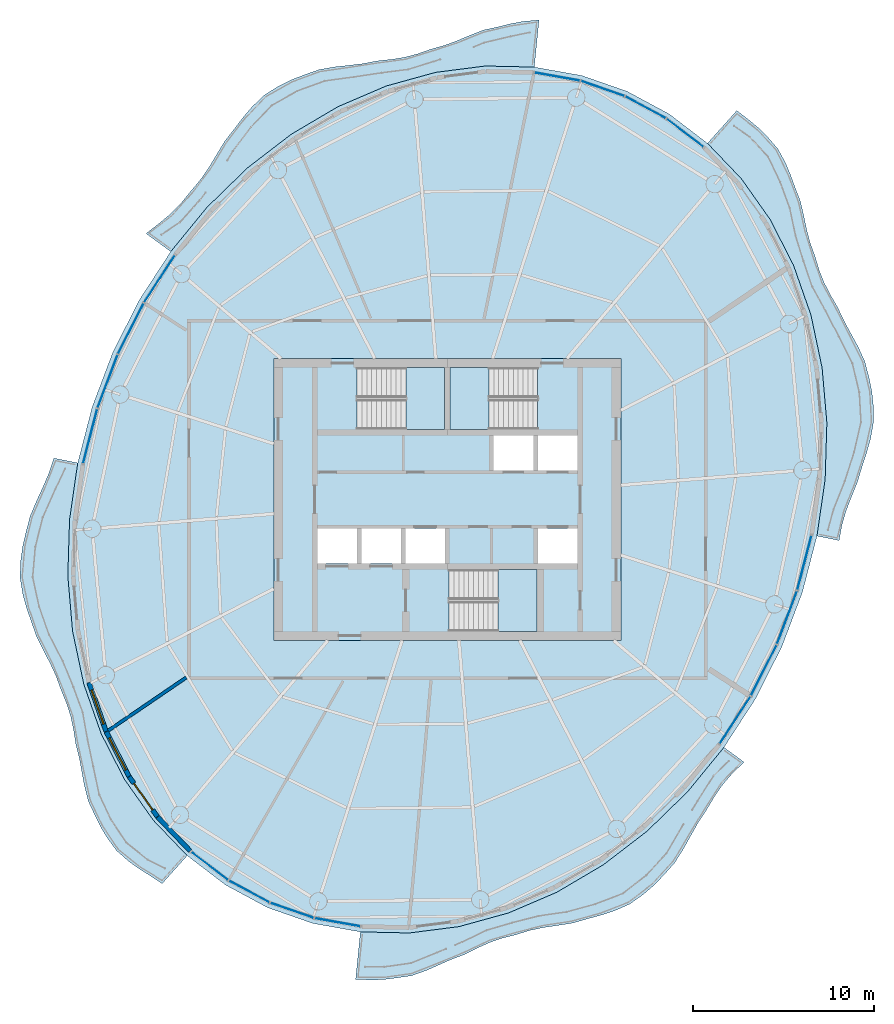
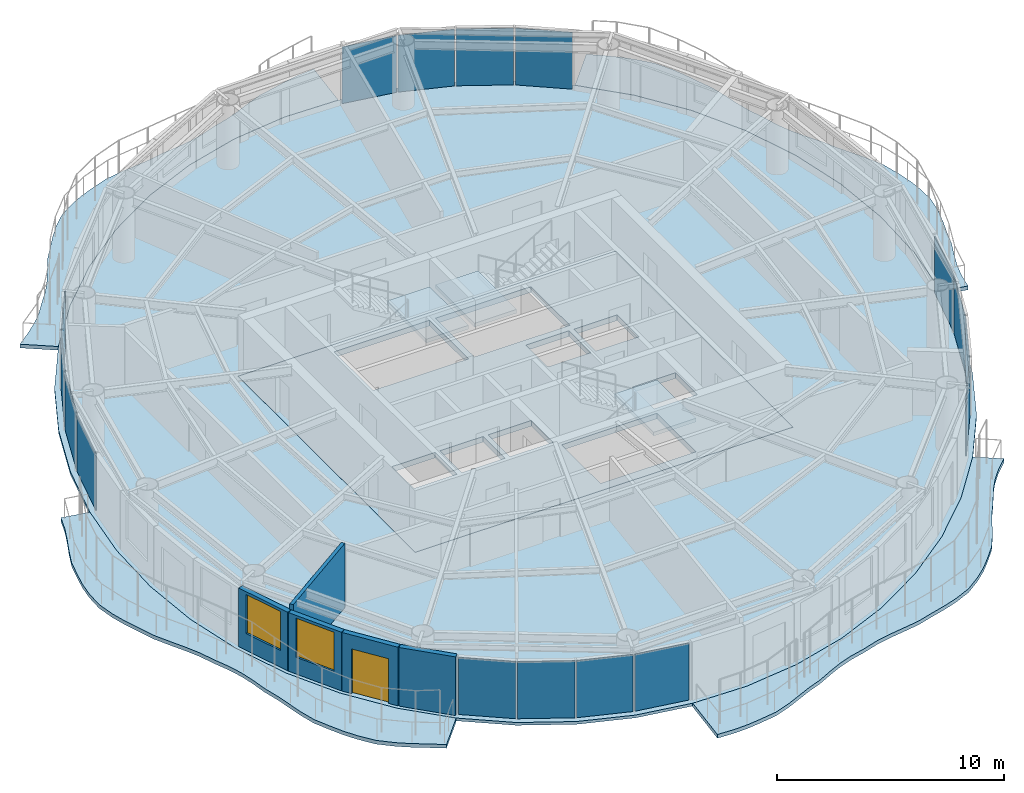
# One storey, part 6 of 13: 16 plates, 9 slabs, 5 walls, 2 windows, 1 door, 3 openings, 19 elements without a shape of their own.
"""IFC4 building model written with IfcOpenShell, lengths in metres."""

import ifcopenshell
import ifcopenshell.guid

model = None  # the IFC model being written
_history = None  # IfcOwnerHistory: only IFC2X3 demands one
_inside = {}  # id of a spatial element -> (the spatial element, [elements in it])
_under = {}  # id of a project, library or spatial element -> (it, [spatial elements below it])
_declared = {}  # id of a project -> (the project, [libraries it declares])
_typed = {}  # id of a type object -> (the type object, [elements of that type])
_made_of = {}  # id of a material, layer set ... -> (it, [elements and type objects made of it])


def new_model(schema):
    """Start an empty IFC model of exactly this schema.

    Asked for "IFC4X3", IfcOpenShell would pick the latest addendum, in which some entities
    have other attributes; the version numbers below select the first issue.
    IFC2X3 requires an IfcOwnerHistory on every rooted entity: one is made here for all.
    """
    global model, _history
    if schema == "IFC4X3":
        model = ifcopenshell.file(schema_version=(4, 3, 0, 0))
    else:
        model = ifcopenshell.file(schema=schema)
    _inside.clear()
    _under.clear()
    _declared.clear()
    _typed.clear()
    _made_of.clear()
    _history = None
    if model.schema == "IFC2X3":
        org = make("IfcOrganization", Name="unknown")
        user = make(
            "IfcPersonAndOrganization",
            ThePerson=make("IfcPerson", FamilyName="unknown"),
            TheOrganization=org,
        )
        app = make(
            "IfcApplication",
            ApplicationDeveloper=org,
            Version="unknown",
            ApplicationFullName="unknown",
            ApplicationIdentifier="unknown",
        )
        _history = make(
            "IfcOwnerHistory",
            OwningUser=user,
            OwningApplication=app,
            ChangeAction="ADDED",
            CreationDate=0,
        )
    return model


def make(cls, **values):
    """One entity of the class cls with the attributes given. An attribute that is None is left unset."""
    return model.create_entity(
        cls, **{name: value for name, value in values.items() if value is not None}
    )


def rooted(cls, **values):
    """An entity with a GlobalId (a new one), such as an element, a storey or a relation."""
    return make(cls, GlobalId=ifcopenshell.guid.new(), OwnerHistory=_history, **values)


def si_unit(unit_type, name, prefix=None):
    """IfcSIUnit, for example si_unit("LENGTHUNIT", "METRE", prefix="MILLI")."""
    return make("IfcSIUnit", UnitType=unit_type, Prefix=prefix, Name=name)


def assignment(units):
    """IfcUnitAssignment: the units of a project."""
    return None if units is None else make("IfcUnitAssignment", Units=units)


def point(xyz):
    """IfcCartesianPoint."""
    return None if xyz is None else make("IfcCartesianPoint", Coordinates=xyz)


def direction(xyz):
    """IfcDirection."""
    return None if xyz is None else make("IfcDirection", DirectionRatios=xyz)


def frame(location, z_axis=None, x_axis=None):
    """IfcAxis2Placement3D, a coordinate frame: its origin and axes. An axis left out is left unset."""
    return make(
        "IfcAxis2Placement3D",
        Location=point(location),
        Axis=direction(z_axis),
        RefDirection=direction(x_axis),
    )


def frame_2d(location, x_axis=None):
    """IfcAxis2Placement2D, a coordinate frame in the plane: its origin and x axis."""
    return make(
        "IfcAxis2Placement2D", Location=point(location), RefDirection=direction(x_axis)
    )


def origin():
    """The frame at (0, 0, 0) with its axes left unset."""
    return frame((0.0, 0.0, 0.0))


def origin_2d():
    """The frame at (0, 0) in the plane with its x axis left unset."""
    return frame_2d((0.0, 0.0))


def place(relative_to, where):
    """IfcLocalPlacement: puts the frame where relative to a parent placement (None: the world)."""
    return make(
        "IfcLocalPlacement", PlacementRelTo=relative_to, RelativePlacement=where
    )


def context(
    kind, dimensions, precision=None, world=None, true_north=None, identifier=None
):
    """IfcGeometricRepresentationContext, for example the 3D "Model" context."""
    return make(
        "IfcGeometricRepresentationContext",
        ContextIdentifier=identifier,
        ContextType=kind,
        CoordinateSpaceDimension=dimensions,
        Precision=precision,
        WorldCoordinateSystem=world,
        TrueNorth=true_north,
    )


def subcontext(parent, identifier, kind, view, scale=None):
    """IfcGeometricRepresentationSubContext, for example "Body" below "Model"."""
    return make(
        "IfcGeometricRepresentationSubContext",
        ContextIdentifier=identifier,
        ContextType=kind,
        ParentContext=parent,
        TargetScale=scale,
        TargetView=view,
    )


def project(units=None, contexts=None):
    """IfcProject with its units and contexts."""
    return rooted(
        "IfcProject",
        Name="project",
        RepresentationContexts=contexts,
        UnitsInContext=assignment(units),
    )


def spatial(cls, under=None, at=None, **own):
    """A site, building, storey or space (cls), placed at a placement, below another one or the project."""
    s = rooted(cls, ObjectPlacement=at, **own)
    if under is not None:
        _under.setdefault(under.id(), (under, []))[1].append(s)
    return s


def polyline(points):
    """IfcPolyline through the points."""
    return make("IfcPolyline", Points=[point(p) for p in points])


def profile(cls, at=None, kind="AREA", **sizes):
    """A parametric profile (cls). Its sizes go by their IFC names, for example OverallWidth=200.0."""
    return make(cls, ProfileType=kind, Position=at, **sizes)


def rectangle(**sizes):
    """IfcRectangleProfileDef."""
    return profile("IfcRectangleProfileDef", **sizes)


def outline(outer, holes=None, kind="AREA"):
    """IfcArbitraryClosedProfileDef: a profile drawn as a closed curve; with holes, ...WithVoids."""
    if holes is None:
        return make("IfcArbitraryClosedProfileDef", ProfileType=kind, OuterCurve=outer)
    return make(
        "IfcArbitraryProfileDefWithVoids",
        ProfileType=kind,
        OuterCurve=outer,
        InnerCurves=holes,
    )


def extrude(swept, where, along, depth):
    """IfcExtrudedAreaSolid: the profile swept, set in the frame where, extruded along a direction by depth."""
    return make(
        "IfcExtrudedAreaSolid",
        SweptArea=swept,
        Position=where,
        ExtrudedDirection=direction(along),
        Depth=depth,
    )


def shape(context_of_items, identifier, shape_type, items):
    """IfcShapeRepresentation: the items that make up one representation, for example the "Body"."""
    return make(
        "IfcShapeRepresentation",
        ContextOfItems=context_of_items,
        RepresentationIdentifier=identifier,
        RepresentationType=shape_type,
        Items=items,
    )


def material(Name=None, Category=None):
    """IfcMaterial."""
    return make("IfcMaterial", Name=Name, Category=Category)


def layer(
    of_material, thickness, ventilated=None, Name=None, Category=None, Priority=None
):
    """IfcMaterialLayer: one layer of a wall or slab, of a material (None: an air gap)."""
    return make(
        "IfcMaterialLayer",
        Material=of_material,
        LayerThickness=thickness,
        IsVentilated=ventilated,
        Name=Name,
        Category=Category,
        Priority=Priority,
    )


def layer_set(layers, Name=None):
    """IfcMaterialLayerSet."""
    return make("IfcMaterialLayerSet", MaterialLayers=layers, LayerSetName=Name)


def made_of(thing, what):
    """Note that an element or type object is made of a material, layer set ...; save() writes the relation."""
    if what is not None:
        _made_of.setdefault(what.id(), (what, []))[1].append(thing)
    return thing


def type_object(cls, material=None, **own):
    """A type object (cls), such as IfcWallType, which elements share."""
    return made_of(rooted(cls, **own), material)


def element(
    cls,
    number,
    at=None,
    inside=None,
    cuts=None,
    type_object=None,
    material=None,
    context=None,
    identifier="Body",
    shape_type=None,
    held_by="IfcProductDefinitionShape",
    body=None,
    shapes=None,
    **own,
):
    """One element of the class cls, such as IfcWall. Its Tag is "e" and its number.

    at: its placement. inside: the storey or other place that contains it. cuts: it is an
    opening in that element (IfcRelVoidsElement). A single representation is given by context,
    identifier, shape_type and body (its items); several are given by shapes. held_by: the class
    of the entity that holds the representations. save() writes the other relations.
    """
    e = rooted(cls, Tag="e%d" % number, ObjectPlacement=at, **own)
    if body is not None:
        shapes = [shape(context, identifier, shape_type, body)]
    if shapes is not None:
        e.Representation = make(held_by, Representations=shapes)
    if inside is not None:
        _inside.setdefault(inside.id(), (inside, []))[1].append(e)
    if cuts is not None:
        rooted(
            "IfcRelVoidsElement", RelatingBuildingElement=cuts, RelatedOpeningElement=e
        )
    if type_object is not None:
        _typed.setdefault(type_object.id(), (type_object, []))[1].append(e)
    return made_of(e, material)


def fill(opening, filler):
    """IfcRelFillsElement: the door or window that sits in an opening."""
    return rooted(
        "IfcRelFillsElement",
        RelatingOpeningElement=opening,
        RelatedBuildingElement=filler,
    )


def aggregate(whole, parts):
    """IfcRelAggregates: a whole, such as a stair, and the parts it consists of."""
    return rooted("IfcRelAggregates", RelatingObject=whole, RelatedObjects=parts)


def save(model, path):
    """Write the relations noted so far, then the file.

    IfcRelAggregates (storeys below a building ...), IfcRelContainedInSpatialStructure (elements
    in a storey), IfcRelDefinesByType, IfcRelAssociatesMaterial and IfcRelDeclares: one each for
    every whole, place, type object, material and project.
    """
    for whole, parts in _under.values():
        aggregate(whole, parts)
    for where, things in _inside.values():
        rooted(
            "IfcRelContainedInSpatialStructure",
            RelatedElements=things,
            RelatingStructure=where,
        )
    for kind, things in _typed.values():
        rooted("IfcRelDefinesByType", RelatedObjects=things, RelatingType=kind)
    for what, things in _made_of.values():
        rooted("IfcRelAssociatesMaterial", RelatedObjects=things, RelatingMaterial=what)
    for by, libraries in _declared.values():
        rooted("IfcRelDeclares", RelatingContext=by, RelatedDefinitions=libraries)
    model.write(path)


model = new_model("IFC4")

# Units and contexts
model_context = context("Model", 3, precision=1e-05, world=origin(), true_north=direction((0.0, 1.0)))
body_context = subcontext(model_context, "Body", "Model", "MODEL_VIEW")
ifc_project = project(units=[si_unit("LENGTHUNIT", "METRE"), si_unit("AREAUNIT", "SQUARE_METRE"), si_unit("VOLUMEUNIT", "CUBIC_METRE"), si_unit("PLANEANGLEUNIT", "RADIAN"), si_unit("MASSUNIT", "GRAM", prefix="KILO")], contexts=[model_context])

# Site, building, storey
site_placement = place(None, origin())
site = spatial("IfcSite", under=ifc_project, at=site_placement, CompositionType="ELEMENT")
building_placement = place(site_placement, origin())
building = spatial("IfcBuilding", under=site, at=building_placement, Name="Vermilion Reach Broadcast Tower", CompositionType="ELEMENT")
storey_placement = place(building_placement, frame((0.0, 0.0, 297.300048828125)))
storey = spatial("IfcBuildingStorey", under=building, at=storey_placement, Name="L74", CompositionType="ELEMENT", Elevation=297.300048828125)

# Slabs
ifc_material_1 = material(Name="Concrete C40/50", Category="concrete")
ifc_layer_1 = layer(ifc_material_1, 0.199951171875)
ifc_layer_set_1 = layer_set([ifc_layer_1], Name="Balcony slab 200")
slab_type_1 = type_object("IfcSlabType", Name="Balcony slab 200", PredefinedType="FLOOR", material=ifc_layer_set_1)
placement_1 = place(storey_placement, frame((0.0, 0.0, -0.199951171875)))
element("IfcSlab", 1, at=placement_1, inside=storey, type_object=slab_type_1, Name="Balcony slab L74 group 1", PredefinedType="FLOOR", context=body_context, shape_type="SweptSolid", body=[
    extrude(outline(polyline([(-1.18408203125, 23.935546875), (-3.895751953125, 23.9951171875), (-6.6435546875, 23.64404296875), (-9.38037109375, 22.888427734375), (-12.05908203125, 21.7412109375), (-14.63427734375, 20.22216796875), (-17.061767578125, 18.35693359375), (-19.300048828125, 16.177734375), (-21.310546875, 13.721435546875), (-22.680908203125, 14.72314453125), (-21.9599609375, 15.278564453125), (-21.340087890625, 15.796875), (-20.776611328125, 16.361083984375), (-20.2314453125, 17.0322265625), (-19.678955078125, 17.686279296875), (-19.225830078125, 18.340576171875), (-18.80908203125, 19.031982421875), (-18.3310546875, 19.82275390625), (-17.774658203125, 20.540771484375), (-17.29345703125, 21.170654296875), (-16.783935546875, 21.763427734375), (-16.107666015625, 22.4033203125), (-15.336181640625, 22.8828125), (-14.66552734375, 23.21728515625), (-13.96044921875, 23.4931640625), (-13.099853515625, 23.79638671875), (-12.212890625, 23.950927734375), (-11.4560546875, 24.0341796875), (-10.7021484375, 24.124755859375), (-9.868408203125, 24.28173828125), (-9.052490234375, 24.36865234375), (-8.348388671875, 24.48486328125), (-7.661376953125, 24.6640625), (-6.90234375, 24.931884765625), (-6.136962890625, 25.14404296875), (-5.470458984375, 25.391845703125), (-4.808349609375, 25.672119140625), (-4.000732421875, 25.98681640625), (-3.169921875, 26.170654296875), (-2.48779296875, 26.3369140625), (-1.806884765625, 26.466552734375), (-0.924560546875, 26.542236328125), (-1.18408203125, 23.935546875)])), origin(), (0.0, 0.0, 1.0), 0.199951171875),
])
element("IfcSlab", 2, at=placement_1, inside=storey, type_object=slab_type_1, Name="Balcony slab L74 group 2", PredefinedType="FLOOR", context=body_context, shape_type="SweptSolid", body=[
    extrude(outline(polyline([(-26.45947265625, 2.025146484375), (-26.9130859375, -1.116455078125), (-27.0087890625, -4.23876953125), (-26.7451171875, -7.288818359375), (-26.12646484375, -10.2138671875), (-25.163330078125, -12.96435546875), (-23.872314453125, -15.492919921875), (-22.275634765625, -17.756591796875), (-20.400390625, -19.716064453125), (-21.785888671875, -21.263916015625), (-22.5068359375, -20.79345703125), (-23.097412109375, -20.419677734375), (-23.6572265625, -20.01708984375), (-24.314697265625, -19.435546875), (-24.838134765625, -18.716552734375), (-25.1962890625, -18.121826171875), (-25.5068359375, -17.493408203125), (-25.873046875, -16.700927734375), (-26.095947265625, -15.831298828125), (-26.2275390625, -15.1015625), (-26.361572265625, -14.373046875), (-26.563232421875, -13.5634765625), (-26.695556640625, -12.72900390625), (-26.848876953125, -12.0107421875), (-27.066162109375, -11.31494140625), (-27.376953125, -10.5634765625), (-27.66064453125, -9.7744140625), (-27.98291015625, -9.07861328125), (-28.343017578125, -8.390625), (-28.7451171875, -7.585693359375), (-29.04541015625, -6.719482421875), (-29.302978515625, -5.9736328125), (-29.507080078125, -5.22314453125), (-29.65576171875, -4.3125), (-29.619140625, -3.37744140625), (-29.5087890625, -2.599609375), (-29.329345703125, -1.82373046875), (-29.09521484375, -0.926025390625), (-28.72900390625, -0.052490234375), (-28.380615234375, 0.698974609375), (-28.06005859375, 1.454345703125), (-27.781494140625, 2.290771484375), (-26.45947265625, 2.025146484375)])), origin(), (0.0, 0.0, 1.0), 0.199951171875),
])
element("IfcSlab", 3, at=placement_1, inside=storey, type_object=slab_type_1, Name="Balcony slab L74 group 3", PredefinedType="FLOOR", context=body_context, shape_type="SweptSolid", body=[
    extrude(outline(polyline([(-10.81591796875, -23.935546875), (-8.104248046875, -23.9951171875), (-5.3564453125, -23.64404296875), (-2.61962890625, -22.888427734375), (0.05908203125, -21.7412109375), (2.63427734375, -20.22216796875), (5.061767578125, -18.35693359375), (7.300048828125, -16.177734375), (9.310546875, -13.721435546875), (10.427490234375, -14.537841796875), (9.795654296875, -15.144287109375), (9.27392578125, -15.742431640625), (8.816162109375, -16.393310546875), (8.365478515625, -17.1552734375), (7.880615234375, -17.8935546875), (7.4794921875, -18.60107421875), (7.08544921875, -19.315673828125), (6.58203125, -20.11279296875), (5.97412109375, -20.80029296875), (5.43701171875, -21.357421875), (4.855712890625, -21.857177734375), (4.1005859375, -22.392822265625), (3.265380859375, -22.762939453125), (2.5380859375, -23.0009765625), (1.78955078125, -23.203369140625), (0.925048828125, -23.451171875), (0.05712890625, -23.587158203125), (-0.68798828125, -23.6982421875), (-1.415283203125, -23.850341796875), (-2.198486328125, -24.0908203125), (-2.970947265625, -24.28369140625), (-3.642578125, -24.517822265625), (-4.2978515625, -24.8115234375), (-5.046875, -25.184814453125), (-5.8203125, -25.47705078125), (-6.48095703125, -25.772216796875), (-7.1416015625, -26.065673828125), (-7.979736328125, -26.361328125), (-8.837158203125, -26.4892578125), (-9.517333984375, -26.572509765625), (-10.196044921875, -26.598876953125), (-11.0771484375, -26.559814453125), (-10.81591796875, -23.935546875)])), origin(), (0.0, 0.0, 1.0), 0.199951171875),
])
element("IfcSlab", 4, at=placement_1, inside=storey, type_object=slab_type_1, Name="Balcony slab L74 group 4", PredefinedType="FLOOR", context=body_context, shape_type="SweptSolid", body=[
    extrude(outline(polyline([(14.45947265625, -2.025146484375), (14.9130859375, 1.116455078125), (15.0087890625, 4.23876953125), (14.7451171875, 7.288818359375), (14.12646484375, 10.2138671875), (13.163330078125, 12.96435546875), (11.872314453125, 15.492919921875), (10.275634765625, 17.756591796875), (8.400390625, 19.716064453125), (10.023681640625, 21.529541015625), (10.715576171875, 20.992919921875), (11.2392578125, 20.5556640625), (11.720458984375, 20.077392578125), (12.2919921875, 19.416748046875), (12.718994140625, 18.632568359375), (12.992919921875, 17.978271484375), (13.2373046875, 17.30322265625), (13.54638671875, 16.503662109375), (13.7421875, 15.650634765625), (13.89306640625, 14.9306640625), (14.078125, 14.228271484375), (14.3505859375, 13.472412109375), (14.583984375, 12.68994140625), (14.854736328125, 12.0126953125), (15.188720703125, 11.35791015625), (15.609130859375, 10.62841796875), (15.982666015625, 9.842529296875), (16.357421875, 9.15771484375), (16.730712890625, 8.47265625), (17.10986328125, 7.6396484375), (17.343017578125, 6.7451171875), (17.498779296875, 5.990478515625), (17.579345703125, 5.229248046875), (17.59619140625, 4.310791015625), (17.43212890625, 3.38330078125), (17.215576171875, 2.6083984375), (16.963623046875, 1.8349609375), (16.69970703125, 0.96044921875), (16.352294921875, 0.10693359375), (16.064208984375, -0.6533203125), (15.841552734375, -1.4228515625), (15.6875, -2.271728515625), (14.45947265625, -2.025146484375)])), origin(), (0.0, 0.0, 1.0), 0.199951171875),
])
ifc_material_2 = material(Name="Concrete C40", Category="concrete")
ifc_layer_2 = layer(ifc_material_2, 0.300048828125)
ifc_layer_set_2 = layer_set([ifc_layer_2], Name="Core floor slab 300 mm Concrete C40")
slab_type_2 = type_object("IfcSlabType", Name="Core floor slab 300 mm Concrete C40", PredefinedType="FLOOR", material=ifc_layer_set_2)
slab_5_placement = place(storey_placement, frame((0.0, 0.0, -0.300048828125)))
element("IfcSlab", 5, at=slab_5_placement, inside=storey, type_object=slab_type_2, Name="L74 core floor", PredefinedType="FLOOR", context=body_context, shape_type="SweptSolid", body=[
    extrude(outline(polyline([(-15.60009765625, -7.800048828125), (3.60009765625, -7.800048828125), (3.60009765625, 7.800048828125), (-15.60009765625, 7.800048828125), (-15.60009765625, -7.800048828125)]), holes=[polyline([(-3.433349609375, 1.60009765625), (-1.24169921875, 1.60009765625), (-1.24169921875, 3.530029296875), (-3.433349609375, 3.530029296875), (-3.433349609375, 1.60009765625)]), polyline([(-0.99169921875, 1.60009765625), (1.199951171875, 1.60009765625), (1.199951171875, 3.530029296875), (-0.99169921875, 3.530029296875), (-0.99169921875, 1.60009765625)]), polyline([(-13.199951171875, -3.530029296875), (-11.00830078125, -3.530029296875), (-11.00830078125, -1.60009765625), (-13.199951171875, -1.60009765625), (-13.199951171875, -3.530029296875)]), polyline([(-10.75830078125, -3.530029296875), (-8.566650390625, -3.530029296875), (-8.566650390625, -1.60009765625), (-10.75830078125, -1.60009765625), (-10.75830078125, -3.530029296875)]), polyline([(-8.316650390625, -3.530029296875), (-6.125, -3.530029296875), (-6.125, -1.60009765625), (-8.316650390625, -1.60009765625), (-8.316650390625, -3.530029296875)]), polyline([(-0.99169921875, -3.530029296875), (1.199951171875, -3.530029296875), (1.199951171875, -1.60009765625), (-0.99169921875, -1.60009765625), (-0.99169921875, -3.530029296875)]), polyline([(-10.999267578125, 3.8798828125), (-6.14990234375, 3.8798828125), (-6.14990234375, 7.300048828125), (-10.999267578125, 7.300048828125), (-10.999267578125, 3.8798828125)]), polyline([(-1.000732421875, 7.300048828125), (-5.85009765625, 7.300048828125), (-5.85009765625, 3.8798828125), (-1.000732421875, 3.8798828125), (-1.000732421875, 7.300048828125)]), polyline([(-5.8994140625, -7.300048828125), (-1.050048828125, -7.300048828125), (-1.050048828125, -3.8798828125), (-5.8994140625, -3.8798828125), (-5.8994140625, -7.300048828125)])]), origin(), (0.0, 0.0, 1.0), 0.300048828125),
])

# Stair, slab
ifc_material_3 = material(Name="Concrete C40", Category="concrete")
stair_type = type_object("IfcStairType", Name="Exit stair RC 22 risers 164 mm", PredefinedType="HALF_TURN_STAIR", material=ifc_material_3)
placement_2 = place(storey_placement, origin())
stair_1 = element("IfcStair", 6, at=placement_2, inside=storey, type_object=stair_type, Name="L74 Exit stair ST1", PredefinedType="HALF_TURN_STAIR")
ifc_material_4 = material(Name="Concrete C40", Category="concrete")
ifc_layer_3 = layer(ifc_material_4, 0.199951171875)
ifc_layer_set_3 = layer_set([ifc_layer_3], Name="Exit stair landing Concrete C40")
slab_type_3 = type_object("IfcSlabType", Name="Exit stair landing Concrete C40", PredefinedType="LANDING", material=ifc_layer_set_3)
placement_3 = place(storey_placement, frame((0.0, 0.0, 1.599853515625)))
slab_6 = element("IfcSlab", 7, at=placement_3, type_object=slab_type_3, Name="ST1 landing 1", PredefinedType="LANDING", context=body_context, shape_type="SweptSolid", body=[
    extrude(outline(polyline([(-8.300048828125, 3.8798828125), (-6.14990234375, 3.8798828125), (-6.14990234375, 7.300048828125), (-8.300048828125, 7.300048828125), (-8.300048828125, 3.8798828125)])), origin(), (0.0, 0.0, 1.0), 0.2001953125),
])
aggregate(stair_1, [slab_6])

stair_2 = element("IfcStair", 8, at=placement_2, inside=storey, type_object=stair_type, Name="L74 Exit stair ST2", PredefinedType="HALF_TURN_STAIR")
slab_7 = element("IfcSlab", 9, at=placement_3, type_object=slab_type_3, Name="ST2 landing 1", PredefinedType="LANDING", context=body_context, shape_type="SweptSolid", body=[
    extrude(outline(polyline([(-3.699951171875, 7.300048828125), (-5.85009765625, 7.300048828125), (-5.85009765625, 3.8798828125), (-3.699951171875, 3.8798828125), (-3.699951171875, 7.300048828125)])), origin(), (0.0, 0.0, 1.0), 0.2001953125),
])
aggregate(stair_2, [slab_7])

stair_3 = element("IfcStair", 10, at=placement_2, inside=storey, type_object=stair_type, Name="L74 Exit stair ST3", PredefinedType="HALF_TURN_STAIR")
slab_8 = element("IfcSlab", 11, at=placement_3, type_object=slab_type_3, Name="ST3 landing 1", PredefinedType="LANDING", context=body_context, shape_type="SweptSolid", body=[
    extrude(outline(polyline([(-3.199951171875, -7.300048828125), (-1.050048828125, -7.300048828125), (-1.050048828125, -3.8798828125), (-3.199951171875, -3.8798828125), (-3.199951171875, -7.300048828125)])), origin(), (0.0, 0.0, 1.0), 0.2001953125),
])
aggregate(stair_3, [slab_8])

# Slab
ifc_material_5 = material(Name="Concrete C40", Category="concrete")
ifc_layer_4 = layer(ifc_material_5, 0.14990234375)
ifc_layer_set_4 = layer_set([ifc_layer_4], Name="Floor slab Concrete C40 composite 150")
slab_type_4 = type_object("IfcSlabType", Name="Floor slab Concrete C40 composite 150", PredefinedType="FLOOR", material=ifc_layer_set_4)
slab_9_placement = place(storey_placement, frame((0.0, 0.0, -0.150146484375)))
element("IfcSlab", 12, at=slab_9_placement, inside=storey, type_object=slab_type_4, Name="Floor slab L74", PredefinedType="FLOOR", context=body_context, shape_type="SweptSolid", body=[
    extrude(outline(polyline([(3.947021484375, 22.595703125), (1.445068359375, 23.46630859375), (-1.18408203125, 23.935546875), (-3.895751953125, 23.9951171875), (-6.6435546875, 23.64404296875), (-9.38037109375, 22.888427734375), (-12.05908203125, 21.7412109375), (-14.63427734375, 20.22216796875), (-17.061767578125, 18.35693359375), (-19.300048828125, 16.177734375), (-21.310546875, 13.721435546875), (-23.059326171875, 11.03076171875), (-24.515869140625, 8.151123046875), (-25.656005859375, 5.132080078125), (-26.45947265625, 2.025146484375), (-26.9130859375, -1.116455078125), (-27.0087890625, -4.23876953125), (-26.7451171875, -7.288818359375), (-26.12646484375, -10.2138671875), (-25.163330078125, -12.96435546875), (-23.872314453125, -15.492919921875), (-22.275634765625, -17.756591796875), (-20.400390625, -19.716064453125), (-18.27880859375, -21.338623046875), (-15.947021484375, -22.595703125), (-13.445068359375, -23.46630859375), (-10.81591796875, -23.935546875), (-8.104248046875, -23.9951171875), (-5.3564453125, -23.64404296875), (-2.61962890625, -22.888427734375), (0.05908203125, -21.7412109375), (2.63427734375, -20.22216796875), (5.061767578125, -18.35693359375), (7.300048828125, -16.177734375), (9.310546875, -13.721435546875), (11.059326171875, -11.03076171875), (12.515869140625, -8.151123046875), (13.656005859375, -5.132080078125), (14.45947265625, -2.025146484375), (14.9130859375, 1.116455078125), (15.0087890625, 4.23876953125), (14.7451171875, 7.288818359375), (14.12646484375, 10.2138671875), (13.163330078125, 12.96435546875), (11.872314453125, 15.492919921875), (10.275634765625, 17.756591796875), (8.400390625, 19.716064453125), (6.27880859375, 21.338623046875), (3.947021484375, 22.595703125)]), holes=[polyline([(-15.60009765625, -7.800048828125), (3.60009765625, -7.800048828125), (3.60009765625, 7.800048828125), (-15.60009765625, 7.800048828125), (-15.60009765625, -7.800048828125)])]), origin(), (0.0, 0.0, 1.0), 0.150146484375),
])

# Curtain wall, plate
ifc_material_6 = material(Name="Low-e laminated clear glass in aluminium frame", Category="aluminium")
curtain_wall_type = type_object("IfcCurtainWallType", Name="Slot curtain wall", PredefinedType="NOTDEFINED", material=ifc_material_6)
curtain_wall_1 = element("IfcCurtainWall", 13, at=placement_2, inside=storey, type_object=curtain_wall_type, Name="Slot curtain wall L74 46", PredefinedType="NOTDEFINED")
ifc_material_7 = material(Name="Low-e laminated clear glass", Category="glass")
ifc_layer_5 = layer(ifc_material_7, 0.028076171875)
ifc_layer_set_5 = layer_set([ifc_layer_5], Name="Slot glass panel")
plate_type = type_object("IfcPlateType", Name="Slot glass panel", PredefinedType="CURTAIN_PANEL", material=ifc_layer_set_5)
plate_1_placement = place(storey_placement, frame((7.157958984375, 20.289794921875, 0.0), z_axis=(0.0, 0.0, 1.0), x_axis=(-0.794365967871, 0.607439469486, 0.0)))
plate_1 = element("IfcPlate", 14, at=plate_1_placement, type_object=plate_type, Name="Slot glass panel L74 46", PredefinedType="CURTAIN_PANEL", context=body_context, shape_type="SweptSolid", body=[
    extrude(rectangle(XDim=2.5439453125, YDim=0.028076171875, at=origin_2d()), origin(), (0.0, 0.0, 1.0), 3.050048828125),
])
aggregate(curtain_wall_1, [plate_1])

curtain_wall_2 = element("IfcCurtainWall", 15, at=placement_2, inside=storey, type_object=curtain_wall_type, Name="Slot curtain wall L74 47", PredefinedType="NOTDEFINED")
plate_2_placement = place(storey_placement, frame((4.970947265625, 21.703857421875, 0.0), z_axis=(0.0, 0.0, 1.0), x_axis=(-0.880202050329, 0.474599147278, 0.0)))
plate_2 = element("IfcPlate", 16, at=plate_2_placement, type_object=plate_type, Name="Slot glass panel L74 47", PredefinedType="CURTAIN_PANEL", context=body_context, shape_type="SweptSolid", body=[
    extrude(rectangle(XDim=2.521240234375, YDim=0.028076171875, at=origin_2d()), origin(), (0.0, 0.0, 1.0), 3.050048828125),
])
aggregate(curtain_wall_2, [plate_2])

curtain_wall_3 = element("IfcCurtainWall", 17, at=placement_2, inside=storey, type_object=curtain_wall_type, Name="Slot curtain wall L74 00", PredefinedType="NOTDEFINED")
plate_3_placement = place(storey_placement, frame((2.597900390625, 22.74853515625, 0.0), z_axis=(0.0, 0.0, 1.0), x_axis=(-0.944452488568, 0.328647983165, 0.0)))
plate_3 = element("IfcPlate", 18, at=plate_3_placement, type_object=plate_type, Name="Slot glass panel L74 00", PredefinedType="CURTAIN_PANEL", context=body_context, shape_type="SweptSolid", body=[
    extrude(rectangle(XDim=2.521240234375, YDim=0.028076171875, at=origin_2d()), origin(), (0.0, 0.0, 1.0), 3.050048828125),
])
aggregate(curtain_wall_3, [plate_3])

curtain_wall_4 = element("IfcCurtainWall", 19, at=placement_2, inside=storey, type_object=curtain_wall_type, Name="Slot curtain wall L74 01", PredefinedType="NOTDEFINED")
plate_4_placement = place(storey_placement, frame((0.077880859375, 23.406494140625, 0.0), z_axis=(0.0, 0.0, 1.0), x_axis=(-0.984455944009, 0.175631700743, 0.0)))
plate_4 = element("IfcPlate", 20, at=plate_4_placement, type_object=plate_type, Name="Slot glass panel L74 01", PredefinedType="CURTAIN_PANEL", context=body_context, shape_type="SweptSolid", body=[
    extrude(rectangle(XDim=2.5439453125, YDim=0.028076171875, at=origin_2d()), origin(), (0.0, 0.0, 1.0), 3.050048828125),
])
aggregate(curtain_wall_4, [plate_4])

curtain_wall_5 = element("IfcCurtainWall", 21, at=placement_2, inside=storey, type_object=curtain_wall_type, Name="Slot curtain wall L74 10", PredefinedType="NOTDEFINED")
plate_5_placement = place(storey_placement, frame((-21.933837890625, 12.212890625, 0.0), z_axis=(0.0, 0.0, 1.0), x_axis=(-0.544895498474, -0.838503962867, 0.0)))
plate_5 = element("IfcPlate", 22, at=plate_5_placement, type_object=plate_type, Name="Slot glass panel L74 10", PredefinedType="CURTAIN_PANEL", context=body_context, shape_type="SweptSolid", body=[
    extrude(rectangle(XDim=3.096435546875, YDim=0.028076171875, at=origin_2d()), origin(), (0.0, 0.0, 1.0), 3.050048828125),
])
aggregate(curtain_wall_5, [plate_5])

curtain_wall_6 = element("IfcCurtainWall", 23, at=placement_2, inside=storey, type_object=curtain_wall_type, Name="Slot curtain wall L74 11", PredefinedType="NOTDEFINED")
plate_6_placement = place(storey_placement, frame((-23.520263671875, 9.45556640625, 0.0), z_axis=(0.0, 0.0, 1.0), x_axis=(-0.451411867252, -0.892315709883, 0.0)))
plate_6 = element("IfcPlate", 24, at=plate_6_placement, type_object=plate_type, Name="Slot glass panel L74 11", PredefinedType="CURTAIN_PANEL", context=body_context, shape_type="SweptSolid", body=[
    extrude(rectangle(XDim=3.114990234375, YDim=0.028076171875, at=origin_2d()), origin(), (0.0, 0.0, 1.0), 3.050048828125),
])
aggregate(curtain_wall_6, [plate_6])

curtain_wall_7 = element("IfcCurtainWall", 25, at=placement_2, inside=storey, type_object=curtain_wall_type, Name="Slot curtain wall L74 12", PredefinedType="NOTDEFINED")
plate_7_placement = place(storey_placement, frame((-24.8056640625, 6.53564453125, 0.0), z_axis=(0.0, 0.0, 1.0), x_axis=(-0.353241233988, -0.935532271282, 0.0)))
plate_7 = element("IfcPlate", 26, at=plate_7_placement, type_object=plate_type, Name="Slot glass panel L74 12", PredefinedType="CURTAIN_PANEL", context=body_context, shape_type="SweptSolid", body=[
    extrude(rectangle(XDim=3.114990234375, YDim=0.028076171875, at=origin_2d()), origin(), (0.0, 0.0, 1.0), 3.050048828125),
])
aggregate(curtain_wall_7, [plate_7])

curtain_wall_8 = element("IfcCurtainWall", 27, at=placement_2, inside=storey, type_object=curtain_wall_type, Name="Slot curtain wall L74 13", PredefinedType="NOTDEFINED")
plate_8_placement = place(storey_placement, frame((-25.767822265625, 3.503662109375, 0.0), z_axis=(0.0, 0.0, 1.0), x_axis=(-0.250421847506, -0.968136817961, 0.0)))
plate_8 = element("IfcPlate", 28, at=plate_8_placement, type_object=plate_type, Name="Slot glass panel L74 13", PredefinedType="CURTAIN_PANEL", context=body_context, shape_type="SweptSolid", body=[
    extrude(rectangle(XDim=3.096435546875, YDim=0.028076171875, at=origin_2d()), origin(), (0.0, 0.0, 1.0), 3.050048828125),
])
aggregate(curtain_wall_8, [plate_8])

curtain_wall_9 = element("IfcCurtainWall", 29, at=placement_2, inside=storey, type_object=curtain_wall_type, Name="Slot curtain wall L74 22", PredefinedType="NOTDEFINED")
plate_9_placement = place(storey_placement, frame((-19.157958984375, -20.289794921875, 0.0), z_axis=(0.0, 0.0, 1.0), x_axis=(0.794365967871, -0.607439469486, 0.0)))
plate_9 = element("IfcPlate", 30, at=plate_9_placement, type_object=plate_type, Name="Slot glass panel L74 22", PredefinedType="CURTAIN_PANEL", context=body_context, shape_type="SweptSolid", body=[
    extrude(rectangle(XDim=2.5439453125, YDim=0.028076171875, at=origin_2d()), origin(), (0.0, 0.0, 1.0), 3.050048828125),
])
aggregate(curtain_wall_9, [plate_9])

curtain_wall_10 = element("IfcCurtainWall", 31, at=placement_2, inside=storey, type_object=curtain_wall_type, Name="Slot curtain wall L74 23", PredefinedType="NOTDEFINED")
plate_10_placement = place(storey_placement, frame((-16.970947265625, -21.703857421875, 0.0), z_axis=(0.0, 0.0, 1.0), x_axis=(0.880202050329, -0.474599147278, 0.0)))
plate_10 = element("IfcPlate", 32, at=plate_10_placement, type_object=plate_type, Name="Slot glass panel L74 23", PredefinedType="CURTAIN_PANEL", context=body_context, shape_type="SweptSolid", body=[
    extrude(rectangle(XDim=2.521240234375, YDim=0.028076171875, at=origin_2d()), origin(), (0.0, 0.0, 1.0), 3.050048828125),
])
aggregate(curtain_wall_10, [plate_10])

curtain_wall_11 = element("IfcCurtainWall", 33, at=placement_2, inside=storey, type_object=curtain_wall_type, Name="Slot curtain wall L74 24", PredefinedType="NOTDEFINED")
plate_11_placement = place(storey_placement, frame((-14.597900390625, -22.74853515625, 0.0), z_axis=(0.0, 0.0, 1.0), x_axis=(0.944452488568, -0.328647983165, 0.0)))
plate_11 = element("IfcPlate", 34, at=plate_11_placement, type_object=plate_type, Name="Slot glass panel L74 24", PredefinedType="CURTAIN_PANEL", context=body_context, shape_type="SweptSolid", body=[
    extrude(rectangle(XDim=2.521240234375, YDim=0.028076171875, at=origin_2d()), origin(), (0.0, 0.0, 1.0), 3.050048828125),
])
aggregate(curtain_wall_11, [plate_11])

curtain_wall_12 = element("IfcCurtainWall", 35, at=placement_2, inside=storey, type_object=curtain_wall_type, Name="Slot curtain wall L74 25", PredefinedType="NOTDEFINED")
plate_12_placement = place(storey_placement, frame((-12.077880859375, -23.406494140625, 0.0), z_axis=(0.0, 0.0, 1.0), x_axis=(0.984455944009, -0.175631700743, 0.0)))
plate_12 = element("IfcPlate", 36, at=plate_12_placement, type_object=plate_type, Name="Slot glass panel L74 25", PredefinedType="CURTAIN_PANEL", context=body_context, shape_type="SweptSolid", body=[
    extrude(rectangle(XDim=2.5439453125, YDim=0.028076171875, at=origin_2d()), origin(), (0.0, 0.0, 1.0), 3.050048828125),
])
aggregate(curtain_wall_12, [plate_12])

curtain_wall_13 = element("IfcCurtainWall", 37, at=placement_2, inside=storey, type_object=curtain_wall_type, Name="Slot curtain wall L74 34", PredefinedType="NOTDEFINED")
plate_13_placement = place(storey_placement, frame((9.933837890625, -12.212890625, 0.0), z_axis=(0.0, 0.0, 1.0), x_axis=(0.544895498474, 0.838503962867, 0.0)))
plate_13 = element("IfcPlate", 38, at=plate_13_placement, type_object=plate_type, Name="Slot glass panel L74 34", PredefinedType="CURTAIN_PANEL", context=body_context, shape_type="SweptSolid", body=[
    extrude(rectangle(XDim=3.096435546875, YDim=0.028076171875, at=origin_2d()), origin(), (0.0, 0.0, 1.0), 3.050048828125),
])
aggregate(curtain_wall_13, [plate_13])

curtain_wall_14 = element("IfcCurtainWall", 39, at=placement_2, inside=storey, type_object=curtain_wall_type, Name="Slot curtain wall L74 35", PredefinedType="NOTDEFINED")
plate_14_placement = place(storey_placement, frame((11.520263671875, -9.45556640625, 0.0), z_axis=(0.0, 0.0, 1.0), x_axis=(0.451411867252, 0.892315709883, 0.0)))
plate_14 = element("IfcPlate", 40, at=plate_14_placement, type_object=plate_type, Name="Slot glass panel L74 35", PredefinedType="CURTAIN_PANEL", context=body_context, shape_type="SweptSolid", body=[
    extrude(rectangle(XDim=3.114990234375, YDim=0.028076171875, at=origin_2d()), origin(), (0.0, 0.0, 1.0), 3.050048828125),
])
aggregate(curtain_wall_14, [plate_14])

curtain_wall_15 = element("IfcCurtainWall", 41, at=placement_2, inside=storey, type_object=curtain_wall_type, Name="Slot curtain wall L74 36", PredefinedType="NOTDEFINED")
plate_15_placement = place(storey_placement, frame((12.8056640625, -6.53564453125, 0.0), z_axis=(0.0, 0.0, 1.0), x_axis=(0.353241233988, 0.935532271282, 0.0)))
plate_15 = element("IfcPlate", 42, at=plate_15_placement, type_object=plate_type, Name="Slot glass panel L74 36", PredefinedType="CURTAIN_PANEL", context=body_context, shape_type="SweptSolid", body=[
    extrude(rectangle(XDim=3.114990234375, YDim=0.028076171875, at=origin_2d()), origin(), (0.0, 0.0, 1.0), 3.050048828125),
])
aggregate(curtain_wall_15, [plate_15])

curtain_wall_16 = element("IfcCurtainWall", 43, at=placement_2, inside=storey, type_object=curtain_wall_type, Name="Slot curtain wall L74 37", PredefinedType="NOTDEFINED")
plate_16_placement = place(storey_placement, frame((13.767822265625, -3.503662109375, 0.0), z_axis=(0.0, 0.0, 1.0), x_axis=(0.250421847506, 0.968136817961, 0.0)))
plate_16 = element("IfcPlate", 44, at=plate_16_placement, type_object=plate_type, Name="Slot glass panel L74 37", PredefinedType="CURTAIN_PANEL", context=body_context, shape_type="SweptSolid", body=[
    extrude(rectangle(XDim=3.096435546875, YDim=0.028076171875, at=origin_2d()), origin(), (0.0, 0.0, 1.0), 3.050048828125),
])
aggregate(curtain_wall_16, [plate_16])

# Wall
ifc_material_8 = material(Name="Fire-rated block, plastered")
ifc_layer_6 = layer(ifc_material_8, 0.175048828125)
ifc_layer_set_6 = layer_set([ifc_layer_6], Name="Partition 175 fire-rated block")
wall_type_1 = type_object("IfcWallType", Name="Partition 175 fire-rated block", PredefinedType="PARTITIONING", material=ifc_layer_set_6)
wall_1_placement = place(storey_placement, frame((-24.7724609375, -12.79736328125, 0.0), z_axis=(0.0, 0.0, 1.0), x_axis=(0.826284596142, 0.563252843914, 0.0)))
element("IfcWall", 45, at=wall_1_placement, inside=storey, type_object=wall_type_1, Name="Partition 74.04", PredefinedType="PARTITIONING", context=body_context, shape_type="SweptSolid", body=[
    extrude(rectangle(XDim=5.232177734375, YDim=0.175048828125, at=frame_2d((2.6162109375, 0.0))), origin(), (0.0, 0.0, 1.0), 3.449951171875),
])

# Wall, opening, window
ifc_material_9 = material(Name="Terracotta rainscreen cladding", Category="masonry")
ifc_layer_7 = layer(ifc_material_9, 0.25)
ifc_layer_set_7 = layer_set([ifc_layer_7], Name="Terracotta rainscreen wall 250")
wall_type_2 = type_object("IfcWallType", Name="Terracotta rainscreen wall 250", PredefinedType="SOLIDWALL", material=ifc_layer_set_7)
wall_2_placement = place(storey_placement, frame((-25.83349609375, -10.144775390625, 0.0), z_axis=(0.0, 0.0, 1.0), x_axis=(0.330480153195, -0.943812941395, 0.0)))
wall_2 = element("IfcWall", 46, at=wall_2_placement, inside=storey, type_object=wall_type_2, Name="External wall L74 18", PredefinedType="SOLIDWALL", context=body_context, shape_type="SweptSolid", body=[
    extrude(rectangle(XDim=2.85009765625, YDim=0.25, at=frame_2d((1.425048828125, 0.0))), origin(), (0.0, 0.0, 1.0), 3.14990234375),
])
opening_1_placement = place(wall_2_placement, frame((0.425048828125, 0.0, 0.89990234375)))
opening_1 = element("IfcOpeningElement", 47, at=opening_1_placement, cuts=wall_2, Name="Opening W03", PredefinedType="OPENING", context=body_context, shape_type="SweptSolid", body=[
    extrude(rectangle(XDim=2.0, YDim=2.10009765625, at=frame_2d((1.0, 1.050048828125))), frame((0.0, 0.135009765625, 0.0), z_axis=(0.0, -1.0, 0.0), x_axis=(1.0, 0.0, 0.0)), (0.0, 0.0, 1.0), 0.27001953125),
])
ifc_material_10 = material(Name="Low-e laminated clear glass in aluminium frame", Category="aluminium")
window_type = type_object("IfcWindowType", Name="Punched window 2000 x 2100 sill 900", PartitioningType="SINGLE_PANEL", PredefinedType="WINDOW", material=ifc_material_10)
window_1_placement = place(opening_1_placement, origin())
window_1 = element("IfcWindow", 48, at=window_1_placement, inside=storey, type_object=window_type, Name="Window L74 18", OverallHeight=2.10009765625, OverallWidth=2.0, PartitioningType="SINGLE_PANEL", PredefinedType="WINDOW", context=body_context, shape_type="SweptSolid", body=[
    extrude(rectangle(XDim=2.0, YDim=2.10009765625, at=frame_2d((1.0, 1.050048828125))), frame((0.0, 0.030029296875, 0.0), z_axis=(0.0, -1.0, 0.0), x_axis=(1.0, 0.0, 0.0)), (0.0, 0.0, 1.0), 0.06005859375),
])
fill(opening_1, window_1)

wall_3_placement = place(storey_placement, frame((-24.8818359375, -12.857666015625, 0.0), z_axis=(0.0, 0.0, 1.0), x_axis=(0.454701355294, -0.890643967865, 0.0)))
wall_3 = element("IfcWall", 49, at=wall_3_placement, inside=storey, type_object=wall_type_2, Name="External wall L74 19", PredefinedType="SOLIDWALL", context=body_context, shape_type="SweptSolid", body=[
    extrude(rectangle(XDim=2.772216796875, YDim=0.25, at=frame_2d((1.38623046875, 0.0))), origin(), (0.0, 0.0, 1.0), 3.14990234375),
])
opening_2_placement = place(wall_3_placement, frame((0.385986328125, 0.0, 0.89990234375)))
opening_2 = element("IfcOpeningElement", 50, at=opening_2_placement, cuts=wall_3, Name="Opening W03", PredefinedType="OPENING", context=body_context, shape_type="SweptSolid", body=[
    extrude(rectangle(XDim=2.0, YDim=2.10009765625, at=frame_2d((1.0, 1.050048828125))), frame((0.0, 0.135009765625, 0.0), z_axis=(0.0, -1.0, 0.0), x_axis=(1.0, 0.0, 0.0)), (0.0, 0.0, 1.0), 0.27001953125),
])
window_2_placement = place(opening_2_placement, origin())
window_2 = element("IfcWindow", 51, at=window_2_placement, inside=storey, type_object=window_type, Name="Window L74 19", OverallHeight=2.10009765625, OverallWidth=2.0, PartitioningType="SINGLE_PANEL", PredefinedType="WINDOW", context=body_context, shape_type="SweptSolid", body=[
    extrude(rectangle(XDim=2.0, YDim=2.10009765625, at=frame_2d((1.0, 1.050048828125))), frame((0.0, 0.030029296875, 0.0), z_axis=(0.0, -1.0, 0.0), x_axis=(1.0, 0.0, 0.0)), (0.0, 0.0, 1.0), 0.06005859375),
])
fill(opening_2, window_2)

# Wall, opening, door
wall_4_placement = place(storey_placement, frame((-23.60791015625, -15.3486328125, 0.0), z_axis=(0.0, 0.0, 1.0), x_axis=(0.576395629651, -0.817170776594, 0.0)))
wall_4 = element("IfcWall", 52, at=wall_4_placement, inside=storey, type_object=wall_type_2, Name="External wall L74 20", PredefinedType="SOLIDWALL", context=body_context, shape_type="SweptSolid", body=[
    extrude(rectangle(XDim=2.7001953125, YDim=0.25, at=frame_2d((1.35009765625, 0.0))), origin(), (0.0, 0.0, 1.0), 3.14990234375),
])
opening_3_placement = place(wall_4_placement, frame((0.449951171875, 0.0, 0.0)))
opening_3 = element("IfcOpeningElement", 53, at=opening_3_placement, cuts=wall_4, Name="Opening D70", PredefinedType="OPENING", context=body_context, shape_type="SweptSolid", body=[
    extrude(rectangle(XDim=1.800048828125, YDim=2.39990234375, at=frame_2d((0.89990234375, 1.199951171875))), frame((0.0, 0.135009765625, 0.0), z_axis=(0.0, -1.0, 0.0), x_axis=(1.0, 0.0, 0.0)), (0.0, 0.0, 1.0), 0.27001953125),
])
ifc_material_11 = material(Name="Low-e laminated clear glass in aluminium frame", Category="aluminium")
door_type = type_object("IfcDoorType", Name="Balcony sliding door 1800 x 2400", OperationType="DOUBLE_DOOR_SLIDING", PredefinedType="DOOR", material=ifc_material_11)
door_placement = place(opening_3_placement, origin())
door = element("IfcDoor", 54, at=door_placement, inside=storey, type_object=door_type, Name="Balcony door L74 run 05", OperationType="DOUBLE_DOOR_SLIDING", OverallHeight=2.39990234375, OverallWidth=1.800048828125, PredefinedType="DOOR", context=body_context, shape_type="SweptSolid", body=[
    extrude(rectangle(XDim=1.800048828125, YDim=2.39990234375, at=frame_2d((0.89990234375, 1.199951171875))), frame((0.0, 0.02490234375, 0.0), z_axis=(0.0, -1.0, 0.0), x_axis=(1.0, 0.0, 0.0)), (0.0, 0.0, 1.0), 0.050048828125),
])
fill(opening_3, door)

# Wall
wall_5_placement = place(storey_placement, frame((-22.03466796875, -17.57568359375, 0.0), z_axis=(0.0, 0.0, 1.0), x_axis=(0.691337834589, -0.722531659145, 0.0)))
element("IfcWall", 55, at=wall_5_placement, inside=storey, type_object=wall_type_2, Name="External wall L74 21", PredefinedType="SOLIDWALL", context=body_context, shape_type="SweptSolid", body=[
    extrude(rectangle(XDim=2.598388671875, YDim=0.25, at=frame_2d((1.29931640625, 0.0))), origin(), (0.0, 0.0, 1.0), 3.14990234375),
])

save(model, "model.ifc")
